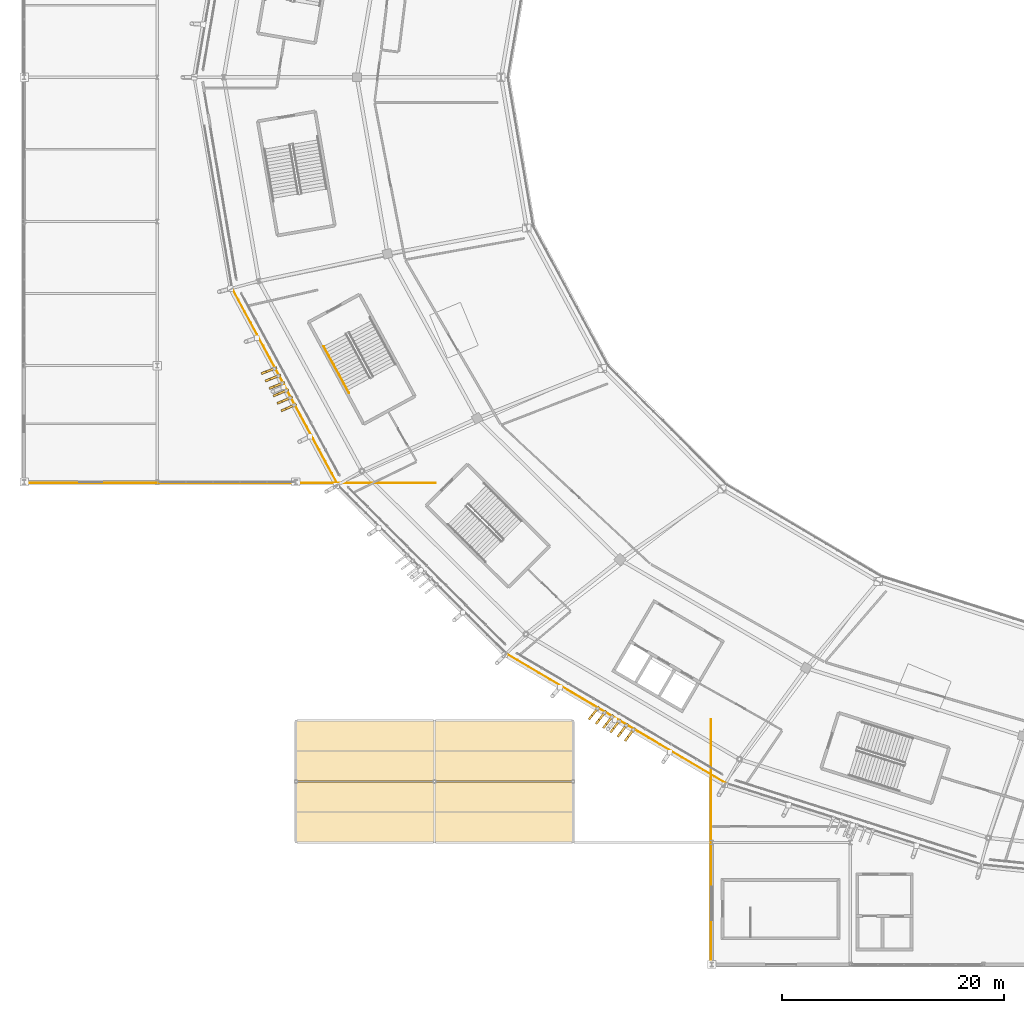
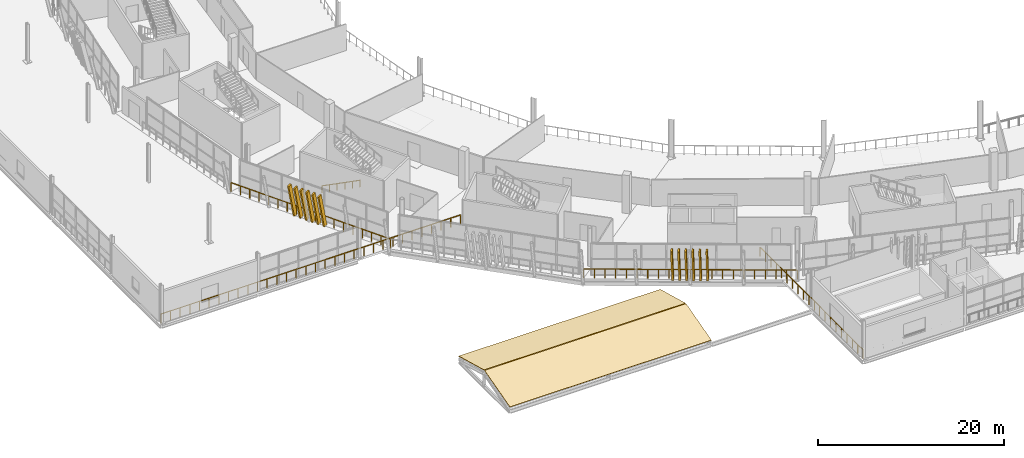
# One storey, part 146 of 179: 12 shading devices, 5 railings, 2 coverings, 1 element without a shape of its own.
"""IFC4 building model written with IfcOpenShell, lengths in metres."""

from ifc_helpers import new_model, si_unit, direction, frame, origin, origin_2d, place, context, subcontext, project, spatial, polyline, rectangle, outline, extrude, material, layer, layer_set, material_profile, profile_set, type_object, element, aggregate, save


model = new_model("IFC4")

# Units and contexts
model_context = context("Model", 3, precision=1e-05, world=origin(), true_north=direction((0.0, 1.0)))
body_context = subcontext(model_context, "Body", "Model", "MODEL_VIEW")
ifc_project = project(units=[si_unit("LENGTHUNIT", "METRE"), si_unit("AREAUNIT", "SQUARE_METRE"), si_unit("VOLUMEUNIT", "CUBIC_METRE"), si_unit("PLANEANGLEUNIT", "RADIAN"), si_unit("MASSUNIT", "GRAM", prefix="KILO")], contexts=[model_context])

# Site, building, storey
site_placement = place(None, origin())
site = spatial("IfcSite", under=ifc_project, at=site_placement, CompositionType="ELEMENT")
building_placement = place(site_placement, origin())
building = spatial("IfcBuilding", under=site, at=building_placement, Name="Zlatoyarsky Gate Stadium", CompositionType="ELEMENT")
storey_placement = place(building_placement, frame((0.0, 0.0, 10.60009765625)))
storey = spatial("IfcBuildingStorey", under=building, at=storey_placement, Name="L02", CompositionType="ELEMENT", Elevation=10.60009765625)

# Railings
ifc_material_1 = material(Name="Powder-coated steel tubular guardrail", Category="steel")
railing_type_1 = type_object("IfcRailingType", Name="CONCOURSE SLAB EDGE GUARDRAIL 1200", PredefinedType="GUARDRAIL", material=ifc_material_1)
railing_1_placement = place(storey_placement, frame((18.758056640625, 60.977783203125, 0.0)))
element("IfcRailing", 1, at=railing_1_placement, inside=storey, type_object=railing_type_1, Name="L02 outer slab edge guardrail 13", PredefinedType="GUARDRAIL", context=body_context, shape_type="SweptSolid", body=[
    extrude(rectangle(XDim=0.048095703125, YDim=0.048095703125, at=origin_2d()), frame((0.0, 0.0, 1.17578125), z_axis=(0.473926234196, -0.880564548765, 0.0), x_axis=(0.880564548765, 0.473926234196, 0.0)), (0.0, 0.0, 1.0), 20.1298828125),
    extrude(rectangle(XDim=0.0419921875, YDim=0.0419921875, at=origin_2d()), origin(), (0.0, 0.0, 1.0), 1.15185546875),
    extrude(rectangle(XDim=0.0419921875, YDim=0.0419921875, at=origin_2d()), frame((0.561279296875, -1.042724609375, 0.0)), (0.0, 0.0, 1.0), 1.15185546875),
    extrude(rectangle(XDim=0.0419921875, YDim=0.0419921875, at=origin_2d()), frame((1.122314453125, -2.08544921875, 0.0)), (0.0, 0.0, 1.0), 1.15185546875),
    extrude(rectangle(XDim=0.0419921875, YDim=0.0419921875, at=origin_2d()), frame((1.68359375, -3.1279296875, 0.0)), (0.0, 0.0, 1.0), 1.15185546875),
    extrude(rectangle(XDim=0.0419921875, YDim=0.0419921875, at=origin_2d()), frame((2.24462890625, -4.170654296875, 0.0)), (0.0, 0.0, 1.0), 1.15185546875),
    extrude(rectangle(XDim=0.0419921875, YDim=0.0419921875, at=origin_2d()), frame((2.805908203125, -5.21337890625, 0.0)), (0.0, 0.0, 1.0), 1.15185546875),
    extrude(rectangle(XDim=0.0419921875, YDim=0.0419921875, at=origin_2d()), frame((3.3671875, -6.256103515625, 0.0)), (0.0, 0.0, 1.0), 1.15185546875),
    extrude(rectangle(XDim=0.0419921875, YDim=0.0419921875, at=origin_2d()), frame((3.92822265625, -7.298828125, 0.0)), (0.0, 0.0, 1.0), 1.15185546875),
    extrude(rectangle(XDim=0.0419921875, YDim=0.0419921875, at=origin_2d()), frame((4.489501953125, -8.341552734375, 0.0)), (0.0, 0.0, 1.0), 1.15185546875),
    extrude(rectangle(XDim=0.0419921875, YDim=0.0419921875, at=origin_2d()), frame((5.050537109375, -9.384033203125, 0.0)), (0.0, 0.0, 1.0), 1.15185546875),
    extrude(rectangle(XDim=0.0419921875, YDim=0.0419921875, at=origin_2d()), frame((5.61181640625, -10.4267578125, 0.0)), (0.0, 0.0, 1.0), 1.15185546875),
    extrude(rectangle(XDim=0.0419921875, YDim=0.0419921875, at=origin_2d()), frame((6.1728515625, -11.469482421875, 0.0)), (0.0, 0.0, 1.0), 1.15185546875),
    extrude(rectangle(XDim=0.0419921875, YDim=0.0419921875, at=origin_2d()), frame((6.734130859375, -12.51220703125, 0.0)), (0.0, 0.0, 1.0), 1.15185546875),
    extrude(rectangle(XDim=0.0419921875, YDim=0.0419921875, at=origin_2d()), frame((7.29541015625, -13.554931640625, 0.0)), (0.0, 0.0, 1.0), 1.15185546875),
    extrude(rectangle(XDim=0.0419921875, YDim=0.0419921875, at=origin_2d()), frame((7.8564453125, -14.59765625, 0.0)), (0.0, 0.0, 1.0), 1.15185546875),
    extrude(rectangle(XDim=0.0419921875, YDim=0.0419921875, at=origin_2d()), frame((8.417724609375, -15.64013671875, 0.0)), (0.0, 0.0, 1.0), 1.15185546875),
    extrude(rectangle(XDim=0.0419921875, YDim=0.0419921875, at=origin_2d()), frame((8.978759765625, -16.682861328125, 0.0)), (0.0, 0.0, 1.0), 1.15185546875),
    extrude(rectangle(XDim=0.0419921875, YDim=0.0419921875, at=origin_2d()), frame((9.5400390625, -17.7255859375, 0.0)), (0.0, 0.0, 1.0), 1.15185546875),
])
railing_2_placement = place(storey_placement, frame((43.47412109375, 28.030517578125, 0.0)))
element("IfcRailing", 2, at=railing_2_placement, inside=storey, type_object=railing_type_1, Name="L02 outer slab edge guardrail 15", PredefinedType="GUARDRAIL", context=body_context, shape_type="SweptSolid", body=[
    extrude(rectangle(XDim=0.048095703125, YDim=0.048095703125, at=origin_2d()), frame((0.0, 0.0, 1.17578125), z_axis=(0.86105938639, -0.508504408151, 0.0), x_axis=(0.508504408151, 0.86105938639, 0.0)), (0.0, 0.0, 1.0), 22.96923828125),
    extrude(rectangle(XDim=0.0419921875, YDim=0.0419921875, at=origin_2d()), origin(), (0.0, 0.0, 1.0), 1.15185546875),
    extrude(rectangle(XDim=0.0419921875, YDim=0.0419921875, at=origin_2d()), frame((0.98876953125, -0.583984375, 0.0)), (0.0, 0.0, 1.0), 1.15185546875),
    extrude(rectangle(XDim=0.0419921875, YDim=0.0419921875, at=origin_2d()), frame((1.977783203125, -1.16796875, 0.0)), (0.0, 0.0, 1.0), 1.15185546875),
    extrude(rectangle(XDim=0.0419921875, YDim=0.0419921875, at=origin_2d()), frame((2.966796875, -1.751953125, 0.0)), (0.0, 0.0, 1.0), 1.15185546875),
    extrude(rectangle(XDim=0.0419921875, YDim=0.0419921875, at=origin_2d()), frame((3.95556640625, -2.3359375, 0.0)), (0.0, 0.0, 1.0), 1.15185546875),
    extrude(rectangle(XDim=0.0419921875, YDim=0.0419921875, at=origin_2d()), frame((4.9443359375, -2.919921875, 0.0)), (0.0, 0.0, 1.0), 1.15185546875),
    extrude(rectangle(XDim=0.0419921875, YDim=0.0419921875, at=origin_2d()), frame((5.933349609375, -3.50390625, 0.0)), (0.0, 0.0, 1.0), 1.15185546875),
    extrude(rectangle(XDim=0.0419921875, YDim=0.0419921875, at=origin_2d()), frame((6.92236328125, -4.087890625, 0.0)), (0.0, 0.0, 1.0), 1.15185546875),
    extrude(rectangle(XDim=0.0419921875, YDim=0.0419921875, at=origin_2d()), frame((7.9111328125, -4.671875, 0.0)), (0.0, 0.0, 1.0), 1.15185546875),
    extrude(rectangle(XDim=0.0419921875, YDim=0.0419921875, at=origin_2d()), frame((8.89990234375, -5.255859375, 0.0)), (0.0, 0.0, 1.0), 1.15185546875),
    extrude(rectangle(XDim=0.0419921875, YDim=0.0419921875, at=origin_2d()), frame((9.888916015625, -5.83984375, 0.0)), (0.0, 0.0, 1.0), 1.15185546875),
    extrude(rectangle(XDim=0.0419921875, YDim=0.0419921875, at=origin_2d()), frame((10.8779296875, -6.424072265625, 0.0)), (0.0, 0.0, 1.0), 1.15185546875),
    extrude(rectangle(XDim=0.0419921875, YDim=0.0419921875, at=origin_2d()), frame((11.86669921875, -7.008056640625, 0.0)), (0.0, 0.0, 1.0), 1.15185546875),
    extrude(rectangle(XDim=0.0419921875, YDim=0.0419921875, at=origin_2d()), frame((12.85546875, -7.592041015625, 0.0)), (0.0, 0.0, 1.0), 1.15185546875),
    extrude(rectangle(XDim=0.0419921875, YDim=0.0419921875, at=origin_2d()), frame((13.844482421875, -8.176025390625, 0.0)), (0.0, 0.0, 1.0), 1.15185546875),
    extrude(rectangle(XDim=0.0419921875, YDim=0.0419921875, at=origin_2d()), frame((14.83349609375, -8.760009765625, 0.0)), (0.0, 0.0, 1.0), 1.15185546875),
    extrude(rectangle(XDim=0.0419921875, YDim=0.0419921875, at=origin_2d()), frame((15.822265625, -9.343994140625, 0.0)), (0.0, 0.0, 1.0), 1.15185546875),
    extrude(rectangle(XDim=0.0419921875, YDim=0.0419921875, at=origin_2d()), frame((16.81103515625, -9.927978515625, 0.0)), (0.0, 0.0, 1.0), 1.15185546875),
    extrude(rectangle(XDim=0.0419921875, YDim=0.0419921875, at=origin_2d()), frame((17.800048828125, -10.511962890625, 0.0)), (0.0, 0.0, 1.0), 1.15185546875),
    extrude(rectangle(XDim=0.0419921875, YDim=0.0419921875, at=origin_2d()), frame((18.7890625, -11.095947265625, 0.0)), (0.0, 0.0, 1.0), 1.15185546875),
    extrude(rectangle(XDim=0.0419921875, YDim=0.0419921875, at=origin_2d()), frame((19.77783203125, -11.679931640625, 0.0)), (0.0, 0.0, 1.0), 1.15185546875),
])
railing_3_placement = place(storey_placement, frame((61.919921875, 22.080078125, 0.0)))
element("IfcRailing", 3, at=railing_3_placement, inside=storey, type_object=railing_type_1, Name="V3_SOUTH L02 W slab edge guardrail", PredefinedType="GUARDRAIL", context=body_context, shape_type="SweptSolid", body=[
    extrude(rectangle(XDim=0.048095703125, YDim=0.048095703125, at=origin_2d()), frame((0.0, 0.0, 1.17578125), z_axis=(0.0, -1.0, 0.0), x_axis=(1.0, 0.0, 0.0)), (0.0, 0.0, 1.0), 22.16015625),
    extrude(rectangle(XDim=0.0419921875, YDim=0.0419921875, at=origin_2d()), origin(), (0.0, 0.0, 1.0), 1.15185546875),
    extrude(rectangle(XDim=0.0419921875, YDim=0.0419921875, at=origin_2d()), frame((0.0, -1.166259765625, 0.0)), (0.0, 0.0, 1.0), 1.15185546875),
    extrude(rectangle(XDim=0.0419921875, YDim=0.0419921875, at=origin_2d()), frame((0.0, -2.332763671875, 0.0)), (0.0, 0.0, 1.0), 1.15185546875),
    extrude(rectangle(XDim=0.0419921875, YDim=0.0419921875, at=origin_2d()), frame((0.0, -3.4990234375, 0.0)), (0.0, 0.0, 1.0), 1.15185546875),
    extrude(rectangle(XDim=0.0419921875, YDim=0.0419921875, at=origin_2d()), frame((0.0, -4.665283203125, 0.0)), (0.0, 0.0, 1.0), 1.15185546875),
    extrude(rectangle(XDim=0.0419921875, YDim=0.0419921875, at=origin_2d()), frame((0.0, -5.83154296875, 0.0)), (0.0, 0.0, 1.0), 1.15185546875),
    extrude(rectangle(XDim=0.0419921875, YDim=0.0419921875, at=origin_2d()), frame((0.0, -6.998046875, 0.0)), (0.0, 0.0, 1.0), 1.15185546875),
    extrude(rectangle(XDim=0.0419921875, YDim=0.0419921875, at=origin_2d()), frame((0.0, -8.164306640625, 0.0)), (0.0, 0.0, 1.0), 1.15185546875),
    extrude(rectangle(XDim=0.0419921875, YDim=0.0419921875, at=origin_2d()), frame((0.0, -9.33056640625, 0.0)), (0.0, 0.0, 1.0), 1.15185546875),
    extrude(rectangle(XDim=0.0419921875, YDim=0.0419921875, at=origin_2d()), frame((0.0, -10.496826171875, 0.0)), (0.0, 0.0, 1.0), 1.15185546875),
    extrude(rectangle(XDim=0.0419921875, YDim=0.0419921875, at=origin_2d()), frame((0.0, -11.663330078125, 0.0)), (0.0, 0.0, 1.0), 1.15185546875),
    extrude(rectangle(XDim=0.0419921875, YDim=0.0419921875, at=origin_2d()), frame((0.0, -12.82958984375, 0.0)), (0.0, 0.0, 1.0), 1.15185546875),
    extrude(rectangle(XDim=0.0419921875, YDim=0.0419921875, at=origin_2d()), frame((0.0, -13.995849609375, 0.0)), (0.0, 0.0, 1.0), 1.15185546875),
    extrude(rectangle(XDim=0.0419921875, YDim=0.0419921875, at=origin_2d()), frame((0.0, -15.162109375, 0.0)), (0.0, 0.0, 1.0), 1.15185546875),
    extrude(rectangle(XDim=0.0419921875, YDim=0.0419921875, at=origin_2d()), frame((0.0, -16.32861328125, 0.0)), (0.0, 0.0, 1.0), 1.15185546875),
    extrude(rectangle(XDim=0.0419921875, YDim=0.0419921875, at=origin_2d()), frame((0.0, -17.494873046875, 0.0)), (0.0, 0.0, 1.0), 1.15185546875),
    extrude(rectangle(XDim=0.0419921875, YDim=0.0419921875, at=origin_2d()), frame((0.0, -18.6611328125, 0.0)), (0.0, 0.0, 1.0), 1.15185546875),
    extrude(rectangle(XDim=0.0419921875, YDim=0.0419921875, at=origin_2d()), frame((0.0, -19.827392578125, 0.0)), (0.0, 0.0, 1.0), 1.15185546875),
    extrude(rectangle(XDim=0.0419921875, YDim=0.0419921875, at=origin_2d()), frame((0.0, -20.993896484375, 0.0)), (0.0, 0.0, 1.0), 1.15185546875),
    extrude(rectangle(XDim=0.0419921875, YDim=0.0419921875, at=origin_2d()), frame((0.0, -22.16015625, 0.0)), (0.0, 0.0, 1.0), 1.15185546875),
])
railing_4_placement = place(storey_placement, frame((37.080078125, 43.419921875, 0.0)))
element("IfcRailing", 4, at=railing_4_placement, inside=storey, type_object=railing_type_1, Name="V4_WEST L02 S slab edge guardrail", PredefinedType="GUARDRAIL", context=body_context, shape_type="SweptSolid", body=[
    extrude(rectangle(XDim=0.048095703125, YDim=0.048095703125, at=origin_2d()), frame((0.0, 0.0, 1.17578125), z_axis=(-1.0, 0.0, 0.0), x_axis=(0.0, -1.0, 0.0)), (0.0, 0.0, 1.0), 37.16015625),
    extrude(rectangle(XDim=0.0419921875, YDim=0.0419921875, at=origin_2d()), origin(), (0.0, 0.0, 1.0), 1.15185546875),
    extrude(rectangle(XDim=0.0419921875, YDim=0.0419921875, at=origin_2d()), frame((-1.19873046875, 0.0, 0.0)), (0.0, 0.0, 1.0), 1.15185546875),
    extrude(rectangle(XDim=0.0419921875, YDim=0.0419921875, at=origin_2d()), frame((-2.3974609375, 0.0, 0.0)), (0.0, 0.0, 1.0), 1.15185546875),
    extrude(rectangle(XDim=0.0419921875, YDim=0.0419921875, at=origin_2d()), frame((-3.59619140625, 0.0, 0.0)), (0.0, 0.0, 1.0), 1.15185546875),
    extrude(rectangle(XDim=0.0419921875, YDim=0.0419921875, at=origin_2d()), frame((-4.794921875, 0.0, 0.0)), (0.0, 0.0, 1.0), 1.15185546875),
    extrude(rectangle(XDim=0.0419921875, YDim=0.0419921875, at=origin_2d()), frame((-5.99365234375, 0.0, 0.0)), (0.0, 0.0, 1.0), 1.15185546875),
    extrude(rectangle(XDim=0.0419921875, YDim=0.0419921875, at=origin_2d()), frame((-7.1923828125, 0.0, 0.0)), (0.0, 0.0, 1.0), 1.15185546875),
    extrude(rectangle(XDim=0.0419921875, YDim=0.0419921875, at=origin_2d()), frame((-8.39111328125, 0.0, 0.0)), (0.0, 0.0, 1.0), 1.15185546875),
    extrude(rectangle(XDim=0.0419921875, YDim=0.0419921875, at=origin_2d()), frame((-9.589599609375, 0.0, 0.0)), (0.0, 0.0, 1.0), 1.15185546875),
    extrude(rectangle(XDim=0.0419921875, YDim=0.0419921875, at=origin_2d()), frame((-10.788330078125, 0.0, 0.0)), (0.0, 0.0, 1.0), 1.15185546875),
    extrude(rectangle(XDim=0.0419921875, YDim=0.0419921875, at=origin_2d()), frame((-11.987060546875, 0.0, 0.0)), (0.0, 0.0, 1.0), 1.15185546875),
    extrude(rectangle(XDim=0.0419921875, YDim=0.0419921875, at=origin_2d()), frame((-13.185791015625, 0.0, 0.0)), (0.0, 0.0, 1.0), 1.15185546875),
    extrude(rectangle(XDim=0.0419921875, YDim=0.0419921875, at=origin_2d()), frame((-14.384521484375, 0.0, 0.0)), (0.0, 0.0, 1.0), 1.15185546875),
    extrude(rectangle(XDim=0.0419921875, YDim=0.0419921875, at=origin_2d()), frame((-15.583251953125, 0.0, 0.0)), (0.0, 0.0, 1.0), 1.15185546875),
    extrude(rectangle(XDim=0.0419921875, YDim=0.0419921875, at=origin_2d()), frame((-16.781982421875, 0.0, 0.0)), (0.0, 0.0, 1.0), 1.15185546875),
    extrude(rectangle(XDim=0.0419921875, YDim=0.0419921875, at=origin_2d()), frame((-17.980712890625, 0.0, 0.0)), (0.0, 0.0, 1.0), 1.15185546875),
    extrude(rectangle(XDim=0.0419921875, YDim=0.0419921875, at=origin_2d()), frame((-19.179443359375, 0.0, 0.0)), (0.0, 0.0, 1.0), 1.15185546875),
    extrude(rectangle(XDim=0.0419921875, YDim=0.0419921875, at=origin_2d()), frame((-20.378173828125, 0.0, 0.0)), (0.0, 0.0, 1.0), 1.15185546875),
    extrude(rectangle(XDim=0.0419921875, YDim=0.0419921875, at=origin_2d()), frame((-21.576904296875, 0.0, 0.0)), (0.0, 0.0, 1.0), 1.15185546875),
    extrude(rectangle(XDim=0.0419921875, YDim=0.0419921875, at=origin_2d()), frame((-22.775634765625, 0.0, 0.0)), (0.0, 0.0, 1.0), 1.15185546875),
    extrude(rectangle(XDim=0.0419921875, YDim=0.0419921875, at=origin_2d()), frame((-23.974365234375, 0.0, 0.0)), (0.0, 0.0, 1.0), 1.15185546875),
    extrude(rectangle(XDim=0.0419921875, YDim=0.0419921875, at=origin_2d()), frame((-25.173095703125, 0.0, 0.0)), (0.0, 0.0, 1.0), 1.15185546875),
    extrude(rectangle(XDim=0.0419921875, YDim=0.0419921875, at=origin_2d()), frame((-26.371826171875, 0.0, 0.0)), (0.0, 0.0, 1.0), 1.15185546875),
    extrude(rectangle(XDim=0.0419921875, YDim=0.0419921875, at=origin_2d()), frame((-27.570556640625, 0.0, 0.0)), (0.0, 0.0, 1.0), 1.15185546875),
    extrude(rectangle(XDim=0.0419921875, YDim=0.0419921875, at=origin_2d()), frame((-28.76904296875, 0.0, 0.0)), (0.0, 0.0, 1.0), 1.15185546875),
    extrude(rectangle(XDim=0.0419921875, YDim=0.0419921875, at=origin_2d()), frame((-29.9677734375, 0.0, 0.0)), (0.0, 0.0, 1.0), 1.15185546875),
    extrude(rectangle(XDim=0.0419921875, YDim=0.0419921875, at=origin_2d()), frame((-31.16650390625, 0.0, 0.0)), (0.0, 0.0, 1.0), 1.15185546875),
    extrude(rectangle(XDim=0.0419921875, YDim=0.0419921875, at=origin_2d()), frame((-32.365234375, 0.0, 0.0)), (0.0, 0.0, 1.0), 1.15185546875),
    extrude(rectangle(XDim=0.0419921875, YDim=0.0419921875, at=origin_2d()), frame((-33.56396484375, 0.0, 0.0)), (0.0, 0.0, 1.0), 1.15185546875),
    extrude(rectangle(XDim=0.0419921875, YDim=0.0419921875, at=origin_2d()), frame((-34.7626953125, 0.0, 0.0)), (0.0, 0.0, 1.0), 1.15185546875),
    extrude(rectangle(XDim=0.0419921875, YDim=0.0419921875, at=origin_2d()), frame((-35.96142578125, 0.0, 0.0)), (0.0, 0.0, 1.0), 1.15185546875),
    extrude(rectangle(XDim=0.0419921875, YDim=0.0419921875, at=origin_2d()), frame((-37.16015625, 0.0, 0.0)), (0.0, 0.0, 1.0), 1.15185546875),
])

# Shading devices
ifc_material_2 = material(Name="Precast concrete C40/50 stone-toned architectural rib", Category="masonry")
ifc_material_profile = material_profile(ifc_material_2, rectangle(XDim=0.199951171875, YDim=0.47998046875, at=origin_2d()), Name="RIB 200X480")
ifc_profile_set = profile_set([ifc_material_profile], Name="Precast concrete C40/50 stone-toned architectural rib")
shading_device_type = type_object("IfcShadingDeviceType", Name="PRECAST FLUTED GATE LOUVRE BLADE 200X480", PredefinedType="SHUTTER", material=ifc_profile_set)
for number, where, z_axis, x_axis, name in (
    (5, (22.548095703125, 53.728271484375, -0.010009765625), (-0.206719752707, -0.07976512823, 0.975143306473), (0.359991364661, -0.932955635263, 0.0), "Leaning bowl louvre fin L02-13-1"),
    (6, (22.903564453125, 53.06787109375, -0.010009765625), (-0.205922910517, -0.081784608848, 0.975144621418), (0.36911520837, -0.929383646806, 0.0), "Leaning bowl louvre fin L02-13-2"),
):
    element("IfcShadingDevice", number, at=place(storey_placement, frame(where, z_axis=z_axis, x_axis=x_axis)), inside=storey, type_object=shading_device_type, Name=name, PredefinedType="SHUTTER", context=body_context, shape_type="SweptSolid", body=[
        extrude(rectangle(XDim=0.199951171875, YDim=0.47998046875, at=origin_2d()), origin(), (0.0, 0.0, 1.0), 4.59423828125),
    ])
for number, where, z_axis, x_axis, name in (
    (7, (23.2587890625, 52.4072265625, -0.010009765625), (-0.20502419839, -0.083752757041, 0.975166936356), (0.378165632721, -0.925737951166, 0.0), "Leaning bowl louvre fin L02-13-3"),
    (8, (23.6142578125, 51.746826171875, -0.010009765625), (-0.204225414002, -0.08577148535, 0.975159080651), (0.387220248003, -0.92198724478, 0.0), "Leaning bowl louvre fin L02-13-4"),
    (9, (23.969482421875, 51.086181640625, -0.010009765625), (-0.203375688997, -0.087737983416, 0.975161717558), (0.396118875859, -0.918199235563, 0.0), "Leaning bowl louvre fin L02-13-5"),
):
    element("IfcShadingDevice", number, at=place(storey_placement, frame(where, z_axis=z_axis, x_axis=x_axis)), inside=storey, type_object=shading_device_type, Name=name, PredefinedType="SHUTTER", context=body_context, shape_type="SweptSolid", body=[
        extrude(rectangle(XDim=0.199951171875, YDim=0.47998046875, at=origin_2d()), origin(), (0.0, 0.0, 1.0), 4.593994140625),
    ])
for number, where, z_axis, x_axis, name in (
    (10, (24.324951171875, 50.42578125, -0.010009765625), (-0.202575025722, -0.089755828553, 0.975144732947), (0.405092293285, -0.914275797515, 0.0), "Leaning bowl louvre fin L02-13-6"),
    (11, (51.6884765625, 23.065673828125, -0.010009765625), (-0.138594127022, -0.172817523419, 0.975154229624), (0.780119326242, -0.625630751181, 0.0), "Leaning bowl louvre fin L02-15-1"),
):
    element("IfcShadingDevice", number, at=place(storey_placement, frame(where, z_axis=z_axis, x_axis=x_axis)), inside=storey, type_object=shading_device_type, Name=name, PredefinedType="SHUTTER", context=body_context, shape_type="SweptSolid", body=[
        extrude(rectangle(XDim=0.199951171875, YDim=0.47998046875, at=origin_2d()), origin(), (0.0, 0.0, 1.0), 4.59423828125),
    ])
shading_device_1_placement = place(storey_placement, frame((52.333984375, 22.68408203125, -0.010009765625), z_axis=(-0.137055604244, -0.173936794374, 0.975172678508), x_axis=(0.785459854929, -0.618912607963, 0.0)))
element("IfcShadingDevice", 12, at=shading_device_1_placement, inside=storey, type_object=shading_device_type, Name="Leaning bowl louvre fin L02-15-2", PredefinedType="SHUTTER", context=body_context, shape_type="SweptSolid", body=[
    extrude(rectangle(XDim=0.199951171875, YDim=0.47998046875, at=origin_2d()), origin(), (0.0, 0.0, 1.0), 4.593994140625),
])
shading_device_2_placement = place(storey_placement, frame((52.97998046875, 22.302734375, -0.010009765625), z_axis=(-0.1356183419, -0.175155977626, 0.975155397279), x_axis=(0.790693739308, -0.612211900096, 0.0)))
element("IfcShadingDevice", 13, at=shading_device_2_placement, inside=storey, type_object=shading_device_type, Name="Leaning bowl louvre fin L02-15-3", PredefinedType="SHUTTER", context=body_context, shape_type="SweptSolid", body=[
    extrude(rectangle(XDim=0.199951171875, YDim=0.47998046875, at=origin_2d()), origin(), (0.0, 0.0, 1.0), 4.59423828125),
])
for number, where, z_axis, x_axis, name in (
    (14, (53.62548828125, 21.921142578125, -0.010009765625), (-0.134026608342, -0.176275281471, 0.975173776), (0.796037315713, -0.605247546044, 0.0), "Leaning bowl louvre fin L02-15-4"),
    (15, (54.271484375, 21.539794921875, -0.010009765625), (-0.132589693304, -0.177441677732, 0.975158666184), (0.801063945585, -0.598578779346, 0.0), "Leaning bowl louvre fin L02-15-5"),
):
    element("IfcShadingDevice", number, at=place(storey_placement, frame(where, z_axis=z_axis, x_axis=x_axis)), inside=storey, type_object=shading_device_type, Name=name, PredefinedType="SHUTTER", context=body_context, shape_type="SweptSolid", body=[
        extrude(rectangle(XDim=0.199951171875, YDim=0.47998046875, at=origin_2d()), origin(), (0.0, 0.0, 1.0), 4.593994140625),
    ])
shading_device_3_placement = place(storey_placement, frame((54.9169921875, 21.158203125, -0.010009765625), z_axis=(-0.131047917222, -0.178609914754, 0.975153804147), x_axis=(0.806260068831, -0.591561240624, 0.0)))
element("IfcShadingDevice", 16, at=shading_device_3_placement, inside=storey, type_object=shading_device_type, Name="Leaning bowl louvre fin L02-15-6", PredefinedType="SHUTTER", context=body_context, shape_type="SweptSolid", body=[
    extrude(rectangle(XDim=0.199951171875, YDim=0.47998046875, at=origin_2d()), origin(), (0.0, 0.0, 1.0), 4.59423828125),
])

# Railing
ifc_material_3 = material(Name="Brushed stainless steel 316 handrail", Category="steel")
railing_type_2 = type_object("IfcRailingType", Name="STAINLESS STEEL TUBULAR HANDRAIL 900", PredefinedType="HANDRAIL", material=ifc_material_3)
railing_5_placement = place(storey_placement, frame((27.013427734375, 55.736572265625, 0.16015625)))
element("IfcRailing", 17, at=railing_5_placement, inside=storey, type_object=railing_type_2, Name="ST-15 L02 stair handrail 1", PredefinedType="HANDRAIL", context=body_context, shape_type="SweptSolid", body=[
    extrude(rectangle(XDim=0.048095703125, YDim=0.048095703125, at=origin_2d()), frame((0.0, 0.0, 0.8759765625), z_axis=(0.422960733392, -0.779563186192, 0.461936637151), x_axis=(0.878962478599, 0.4768909322, 0.0)), (0.0, 0.0, 1.0), 5.412109375),
    extrude(rectangle(XDim=0.0419921875, YDim=0.0419921875, at=origin_2d()), origin(), (0.0, 0.0, 1.0), 0.851806640625),
    extrude(rectangle(XDim=0.0419921875, YDim=0.0419921875, at=origin_2d()), frame((0.457763671875, -0.84375, 0.5)), (0.0, 0.0, 1.0), 0.851806640625),
    extrude(rectangle(XDim=0.0419921875, YDim=0.0419921875, at=origin_2d()), frame((0.91552734375, -1.6875, 1.0)), (0.0, 0.0, 1.0), 0.851806640625),
    extrude(rectangle(XDim=0.0419921875, YDim=0.0419921875, at=origin_2d()), frame((1.37353515625, -2.531494140625, 1.5)), (0.0, 0.0, 1.0), 0.851806640625),
    extrude(rectangle(XDim=0.0419921875, YDim=0.0419921875, at=origin_2d()), frame((1.831298828125, -3.375244140625, 2.0)), (0.0, 0.0, 1.0), 0.851806640625),
    extrude(rectangle(XDim=0.0419921875, YDim=0.0419921875, at=origin_2d()), frame((2.2890625, -4.218994140625, 2.5)), (0.0, 0.0, 1.0), 0.851806640625),
])

# Roof, coverings
ifc_material_4 = material(Name="Standing-seam aluminium-zinc roofing with mineral wool insulation", Category="aluminium")
ifc_layer_1 = layer(ifc_material_4, 0.080078125)
ifc_layer_set_1 = layer_set([ifc_layer_1], Name="Standing-seam aluminium-zinc roofing with mineral wool insulation")
roof_type = type_object("IfcRoofType", Name="WINTER GARDEN PAVILION ROOF ASSEMBLY", PredefinedType="PAVILION_ROOF", material=ifc_layer_set_1)
roof_placement = place(storey_placement, origin())
roof = element("IfcRoof", 18, at=roof_placement, inside=storey, type_object=roof_type, Name="V6_SW pavilion roof", PredefinedType="PAVILION_ROOF")
ifc_layer_2 = layer(ifc_material_4, 0.06005859375)
ifc_layer_set_2 = layer_set([ifc_layer_2], Name="Standing-seam aluminium-zinc roofing with mineral wool insulation")
covering_type = type_object("IfcCoveringType", Name="STANDING SEAM ALUMINIUM ZINC ROOFING 60", PredefinedType="ROOFING", material=ifc_layer_set_2)
covering_1_placement = place(storey_placement, frame((24.5, 11.0, 0.059814453125), z_axis=(0.0, -0.263121064037, 0.964762823527), x_axis=(1.0, 0.0, 0.0)))
covering_1 = element("IfcCovering", 19, at=covering_1_placement, type_object=covering_type, Name="V6_SW standing seam roofing 1", PredefinedType="ROOFING", context=body_context, shape_type="SweptSolid", body=[
    extrude(outline(polyline([(0.0, 0.0), (25.0, 0.0), (25.0, 5.646981738949474), (0.0, 5.646981738949474), (0.0, 0.0)])), origin(), (0.0, 0.0, -1.0), 0.06005859375),
])
covering_2_placement = place(storey_placement, frame((49.5, 22.0, 0.059814453125), z_axis=(0.0, 0.263121064037, 0.964762823527), x_axis=(-1.0, 0.0, 0.0)))
covering_2 = element("IfcCovering", 20, at=covering_2_placement, type_object=covering_type, Name="V6_SW standing seam roofing 2", PredefinedType="ROOFING", context=body_context, shape_type="SweptSolid", body=[
    extrude(outline(polyline([(0.0, 0.0), (25.0, 0.0), (25.0, 5.646981738949474), (0.0, 5.646981738949474), (0.0, 0.0)])), origin(), (0.0, 0.0, -1.0), 0.06005859375),
])
aggregate(roof, [covering_1, covering_2])

save(model, "model.ifc")
